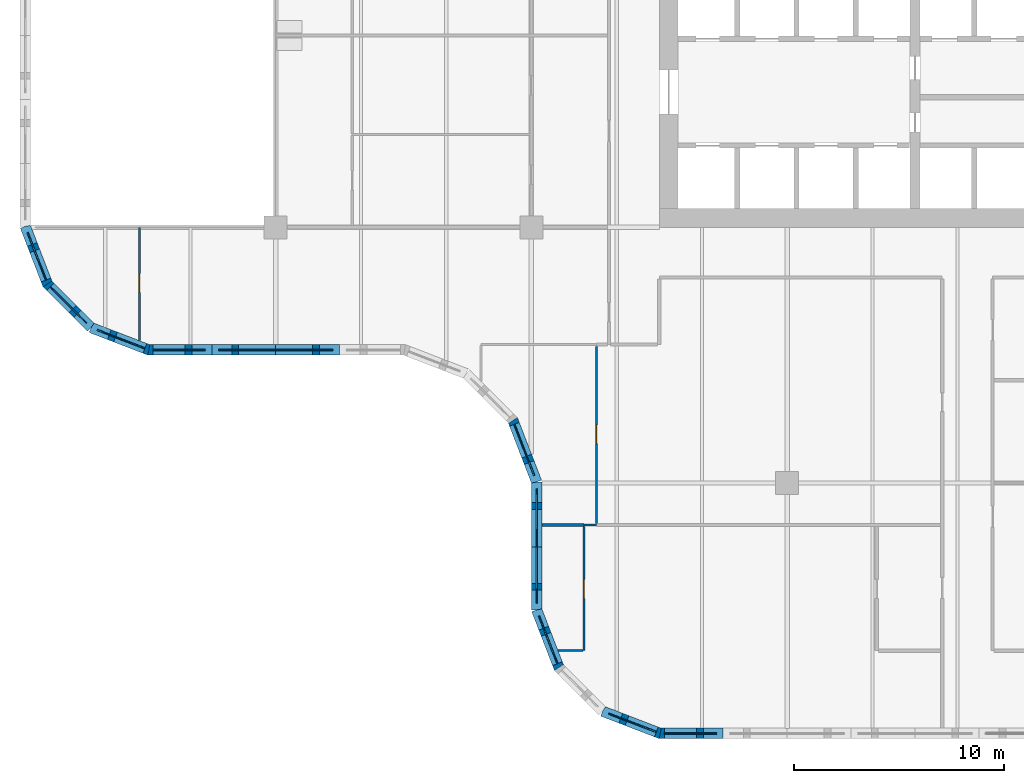
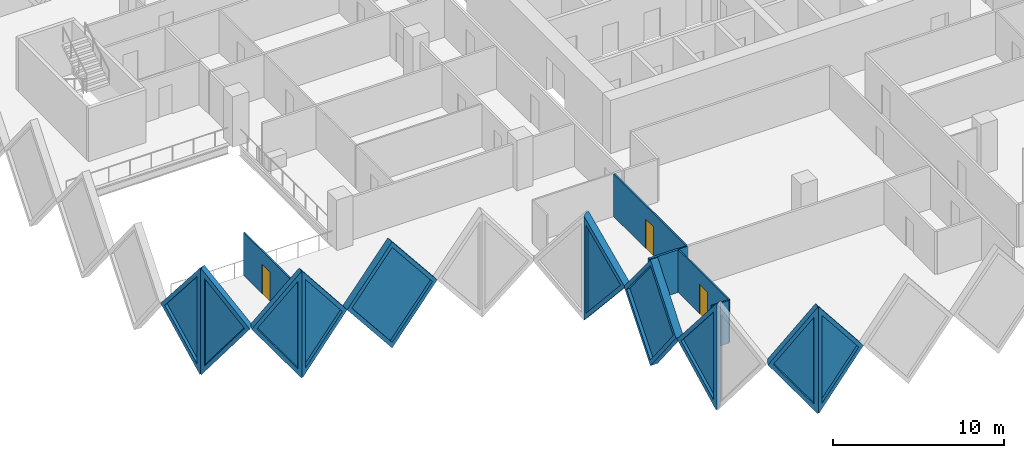
# One storey, part 4 of 20: 16 walls, 10 plates, 3 doors, 13 openings.
"""IFC4 building model written with IfcOpenShell, lengths in metres."""

from ifc_helpers import new_model, si_unit, direction, frame, frame_2d, origin, place, context, subcontext, project, spatial, polyline, rectangle, outline, extrude, faceted_brep, source, transform, mapped, material, layer, layer_set, type_object, element, fill, save


model = new_model("IFC4")

# Units and contexts
model_context = context("Model", 3, precision=1e-05, world=origin(), true_north=direction((0.0, 1.0)))
body_context = subcontext(model_context, "Body", "Model", "MODEL_VIEW")
ifc_project = project(units=[si_unit("LENGTHUNIT", "METRE"), si_unit("AREAUNIT", "SQUARE_METRE"), si_unit("VOLUMEUNIT", "CUBIC_METRE"), si_unit("PLANEANGLEUNIT", "RADIAN"), si_unit("MASSUNIT", "GRAM", prefix="KILO")], contexts=[model_context])

# Site, building, storey
site_placement = place(None, origin())
site = spatial("IfcSite", under=ifc_project, at=site_placement, CompositionType="ELEMENT")
building_placement = place(site_placement, origin())
building = spatial("IfcBuilding", under=site, at=building_placement, Name="Tessera Gate Towers", CompositionType="ELEMENT")
storey_placement = place(building_placement, frame((0.0, 0.0, 48.60009765625)))
storey = spatial("IfcBuildingStorey", under=building, at=storey_placement, Name="L11", CompositionType="ELEMENT", Elevation=48.60009765625)

# Wall
ifc_material_1 = material(Name="Glass", Category="glass")
ifc_layer_1 = layer(ifc_material_1, 0.10009765625)
ifc_layer_set_1 = layer_set([ifc_layer_1], Name="GLAZED PARTITION 100")
wall_type_1 = type_object("IfcWallType", Name="GLAZED PARTITION 100", PredefinedType="PARTITIONING", material=ifc_layer_set_1)
wall_1_placement = place(storey_placement, frame((26.90087890625, 10.199951171875, 0.0), z_axis=(0.0, 0.0, 1.0), x_axis=(1.0, 0.0, 0.0)))
element("IfcWall", 1, at=wall_1_placement, inside=storey, type_object=wall_type_1, Name="T1-L11-PW-011", PredefinedType="PARTITIONING", context=body_context, shape_type="SweptSolid", body=[
    extrude(rectangle(XDim=0.59814453125, YDim=0.10009765625, at=frame_2d((0.299072265625, 0.0))), origin(), (0.0, 0.0, 1.0), 3.06689453125),
])

# Wall, opening, door
wall_2_placement = place(storey_placement, frame((27.5, 10.27587890625, 0.0), z_axis=(0.0, 0.0, 1.0), x_axis=(0.0, 1.0, 0.0)))
wall_2 = element("IfcWall", 2, at=wall_2_placement, inside=storey, type_object=wall_type_1, Name="T1-L11-PW-013", PredefinedType="PARTITIONING", context=body_context, shape_type="SweptSolid", body=[
    extrude(rectangle(XDim=8.4482421875, YDim=0.10009765625, at=frame_2d((4.22412109375, 0.0))), origin(), (0.0, 0.0, 1.0), 3.06689453125),
])
shared_shape_1 = source(origin(), body_context, "Body", "SweptSolid", [
    extrude(rectangle(XDim=0.89990234375, YDim=2.10009765625, at=frame_2d((0.449951171875, 1.050048828125))), frame((0.0, 0.06005859375, 0.0), z_axis=(0.0, -1.0, 0.0), x_axis=(1.0, 0.0, 0.0)), (0.0, 0.0, 1.0), 0.1201171875),
])
opening_1_placement = place(wall_2_placement, frame((3.800048828125, 0.0, 0.0)))
opening_1 = element("IfcOpeningElement", 3, at=opening_1_placement, cuts=wall_2, Name="Opening D690-A04-03", PredefinedType="OPENING", context=body_context, shape_type="MappedRepresentation", body=[
    mapped(shared_shape_1, transform((0.0, 0.0, 0.0), scale=1.0)),
])
ifc_material_2 = material(Name="Glass in aluminium frame", Category="aluminium")
door_type_1 = type_object("IfcDoorType", Name="GLAZED DOOR 900 NOT RATED", OperationType="NOTDEFINED", PredefinedType="DOOR", material=ifc_material_2)
shared_shape_2 = source(origin(), body_context, "Body", "SweptSolid", [
    extrude(rectangle(XDim=0.89990234375, YDim=2.10009765625, at=frame_2d((0.449951171875, 1.050048828125))), frame((0.0, 0.02490234375, 0.0), z_axis=(0.0, -1.0, 0.0), x_axis=(1.0, 0.0, 0.0)), (0.0, 0.0, 1.0), 0.050048828125),
])
door_1_placement = place(opening_1_placement, origin())
door_1 = element("IfcDoor", 4, at=door_1_placement, inside=storey, type_object=door_type_1, Name="T1-L11-PD-019", OperationType="SINGLE_SWING_LEFT", OverallHeight=2.10009765625, OverallWidth=0.89990234375, PredefinedType="DOOR", context=body_context, shape_type="MappedRepresentation", body=[
    mapped(shared_shape_2, transform((0.0, 0.0, 0.0), scale=1.0)),
])
fill(opening_1, door_1)

wall_3_placement = place(storey_placement, frame((5.699951171875, 18.990234375, 0.0), z_axis=(0.0, 0.0, 1.0), x_axis=(0.0, 1.0, 0.0)))
wall_3 = element("IfcWall", 5, at=wall_3_placement, inside=storey, type_object=wall_type_1, Name="T1-L11-PW-025", PredefinedType="PARTITIONING", context=body_context, shape_type="SweptSolid", body=[
    extrude(rectangle(XDim=5.40966796875, YDim=0.10009765625, at=frame_2d((2.704833984375, 0.0))), origin(), (0.0, 0.0, 1.0), 3.06689453125),
])
opening_2_placement = place(wall_3_placement, frame((2.300048828125, 0.0, 0.0)))
opening_2 = element("IfcOpeningElement", 6, at=opening_2_placement, cuts=wall_3, Name="Opening D690-A04-02", PredefinedType="OPENING", context=body_context, shape_type="MappedRepresentation", body=[
    mapped(shared_shape_1, transform((0.0, 0.0, 0.0), scale=1.0)),
])
door_2_placement = place(opening_2_placement, origin())
door_2 = element("IfcDoor", 7, at=door_2_placement, inside=storey, type_object=door_type_1, Name="T1-L11-PD-013", OperationType="SINGLE_SWING_LEFT", OverallHeight=2.10009765625, OverallWidth=0.89990234375, PredefinedType="DOOR", context=body_context, shape_type="MappedRepresentation", body=[
    mapped(shared_shape_2, transform((0.0, 0.0, 0.0), scale=1.0)),
])
fill(opening_2, door_2)

# Wall
ifc_material_3 = material(Name="Gypsum board on steel studs", Category="steel")
ifc_layer_2 = layer(ifc_material_3, 0.10009765625)
ifc_layer_set_2 = layer_set([ifc_layer_2], Name="PARTITION 100")
wall_type_2 = type_object("IfcWallType", Name="PARTITION 100", PredefinedType="PARTITIONING", material=ifc_layer_set_2)
wall_4_placement = place(storey_placement, frame((25.668701171875, 4.199951171875, 0.0), z_axis=(0.0, 0.0, 1.0), x_axis=(1.0, 0.0, 0.0)))
element("IfcWall", 8, at=wall_4_placement, inside=storey, type_object=wall_type_2, Name="T1-L11-PW-003", PredefinedType="PARTITIONING", context=body_context, shape_type="SweptSolid", body=[
    extrude(rectangle(XDim=1.180419921875, YDim=0.10009765625, at=frame_2d((0.59033203125, 0.0))), origin(), (0.0, 0.0, 1.0), 3.06689453125),
])

# Wall, opening, door
wall_5_placement = place(storey_placement, frame((26.89990234375, 4.199951171875, 0.0), z_axis=(0.0, 0.0, 1.0), x_axis=(0.0, 1.0, 0.0)))
wall_5 = element("IfcWall", 9, at=wall_5_placement, inside=storey, type_object=wall_type_2, Name="T1-L11-PW-004", PredefinedType="PARTITIONING", context=body_context, shape_type="SweptSolid", body=[
    extrude(rectangle(XDim=5.924072265625, YDim=0.10009765625, at=frame_2d((2.9619140625, 0.0))), origin(), (0.0, 0.0, 1.0), 3.06689453125),
])
opening_3_placement = place(wall_5_placement, frame((2.5, 0.0, 0.0)))
opening_3 = element("IfcOpeningElement", 10, at=opening_3_placement, cuts=wall_5, Name="Opening D190-A04-09", PredefinedType="OPENING", context=body_context, shape_type="MappedRepresentation", body=[
    mapped(shared_shape_1, transform((0.0, 0.0, 0.0), scale=1.0)),
])
ifc_material_4 = material(Name="Timber door leaf in steel frame", Category="steel")
door_type_2 = type_object("IfcDoorType", Name="INTERNAL DOOR 900 NOT RATED", OperationType="NOTDEFINED", PredefinedType="DOOR", material=ifc_material_4)
door_3_placement = place(opening_3_placement, origin())
door_3 = element("IfcDoor", 11, at=door_3_placement, inside=storey, type_object=door_type_2, Name="T1-L11-PD-017", OperationType="SINGLE_SWING_LEFT", OverallHeight=2.10009765625, OverallWidth=0.89990234375, PredefinedType="DOOR", context=body_context, shape_type="MappedRepresentation", body=[
    mapped(shared_shape_2, transform((0.0, 0.0, 0.0), scale=1.0)),
])
fill(opening_3, door_3)

# Wall
ifc_material_5 = material(Name="Gypsum board on steel studs, mineral wool", Category="steel")
ifc_layer_3 = layer(ifc_material_5, 0.14990234375)
ifc_layer_set_3 = layer_set([ifc_layer_3], Name="TENANCY WALL 150")
wall_type_3 = type_object("IfcWallType", Name="TENANCY WALL 150", PredefinedType="PARTITIONING", material=ifc_layer_set_3)
wall_6_placement = place(storey_placement, frame((24.89990234375, 10.199951171875, 0.0), z_axis=(0.0, 0.0, 1.0), x_axis=(1.0, 0.0, 0.0)))
element("IfcWall", 12, at=wall_6_placement, inside=storey, type_object=wall_type_3, Name="T1-L11-PW-010", PredefinedType="PARTITIONING", context=body_context, shape_type="SweptSolid", body=[
    extrude(rectangle(XDim=2.0, YDim=0.14990234375, at=frame_2d((1.0, 0.0))), origin(), (0.0, 0.0, 1.0), 3.06689453125),
])

# Wall, opening, plate
ifc_material_6 = material(Name="Precast concrete C60/75 white", Category="concrete")
ifc_layer_4 = layer(ifc_material_6, 0.5)
ifc_layer_set_4 = layer_set([ifc_layer_4], Name="TS1 tessera")
wall_type_4 = type_object("IfcWallType", Name="TS1 tessera", PredefinedType="SOLIDWALL", material=ifc_layer_set_4)
shared_shape_3 = source(origin(), body_context, "Body", "SweptSolid", [
    extrude(outline(polyline([(3.050048828125, 0.0), (6.10009765625, 3.800048828125), (3.050048828125, 7.599853515625), (0.0, 3.800048828125), (3.050048828125, 0.0)])), frame((0.0, 0.25, 0.0), z_axis=(0.0, -1.0, 0.0), x_axis=(1.0, 0.0, 0.0)), (0.0, 0.0, 1.0), 0.5),
])
wall_7_placement = place(storey_placement, frame((9.14990234375, 18.550048828125, -3.800048828125), z_axis=(0.0, 0.0, 1.0), x_axis=(1.0, 0.0, 0.0)))
wall_7 = element("IfcWall", 13, at=wall_7_placement, inside=storey, type_object=wall_type_4, Name="Precast tessera T1 TS1-0159", PredefinedType="SOLIDWALL", context=body_context, shape_type="MappedRepresentation", body=[
    mapped(shared_shape_3, transform((0.0, 0.0, 0.0), scale=1.0)),
])
shared_shape_4 = source(origin(), body_context, "Body", "SweptSolid", [
    extrude(outline(polyline([(3.050048828125, 0.3994140625), (5.779541015625, 3.800048828125), (3.050048828125, 7.200439453125), (0.320556640625, 3.800048828125), (3.050048828125, 0.3994140625)])), frame((0.0, 0.260009765625, 0.0), z_axis=(0.0, -1.0, 0.0), x_axis=(1.0, 0.0, 0.0)), (0.0, 0.0, 1.0), 0.52001953125),
])
opening_4_placement = place(wall_7_placement, origin())
opening_4 = element("IfcOpeningElement", 14, at=opening_4_placement, cuts=wall_7, Name="Opening T1-PL2-0321", PredefinedType="OPENING", context=body_context, shape_type="MappedRepresentation", body=[
    mapped(shared_shape_4, transform((0.0, 0.0, 0.0), scale=1.0)),
])
ifc_material_7 = material(Name="Low-e laminated glass", Category="glass")
ifc_layer_5 = layer(ifc_material_7, 0.06005859375)
ifc_layer_set_5 = layer_set([ifc_layer_5], Name="PL2 rhombic pane")
plate_type = type_object("IfcPlateType", Name="PL2 rhombic pane", PredefinedType="SHEET", material=ifc_layer_set_5)
shared_shape_5 = source(origin(), body_context, "Body", "SweptSolid", [
    extrude(outline(polyline([(3.050048828125, 0.3994140625), (5.779541015625, 3.800048828125), (3.050048828125, 7.200439453125), (0.320556640625, 3.800048828125), (3.050048828125, 0.3994140625)])), frame((0.0, 0.030029296875, 0.0), z_axis=(0.0, -1.0, 0.0), x_axis=(1.0, 0.0, 0.0)), (0.0, 0.0, 1.0), 0.06005859375),
])
plate_1_placement = place(opening_4_placement, origin())
plate_1 = element("IfcPlate", 15, at=plate_1_placement, inside=storey, type_object=plate_type, Name="Glass pane T1 PL2-0321", PredefinedType="SHEET", context=body_context, shape_type="MappedRepresentation", body=[
    mapped(shared_shape_5, transform((0.0, 0.0, 0.0), scale=1.0)),
])
fill(opening_4, plate_1)

ifc_material_8 = material(Name="Precast concrete C60/75 white", Category="concrete")
ifc_layer_6 = layer(ifc_material_8, 0.5)
ifc_layer_set_6 = layer_set([ifc_layer_6], Name="TS3 corner tessera")
wall_type_5 = type_object("IfcWallType", Name="TS3 corner tessera", PredefinedType="SOLIDWALL", material=ifc_layer_set_6)
shared_shape_6 = source(origin(), body_context, "Body", "Brep", [
    faceted_brep([(2.950439453125, -0.25, 0.0), (3.00341796875, -0.25, 0.068359375), (3.00341796875, -0.25, 7.531494140625), (2.950439453125, -0.25, 7.599853515625), (0.0, -0.25, 3.800048828125), (0.046630859375, 0.25, 3.860107421875), (2.897705078125, 0.25, 7.53173828125), (2.897705078125, 0.25, 0.068115234375), (0.046630859375, 0.25, 3.739990234375), (2.950439453125, 0.00048828125, 0.0), (2.950439453125, 0.00048828125, 7.599853515625), (0.0, 0.0, 3.800048828125)], [[[0, 1, 2, 3, 4]], [[5, 6, 7, 8]], [[1, 0, 9]], [[10, 3, 2]], [[6, 5, 11, 4, 3, 10]], [[8, 7, 9, 0, 4, 11]], [[8, 11, 5]], [[1, 9, 7, 6, 10, 2]]]),
])
wall_8_placement = place(storey_placement, frame((24.64990234375, 6.146484375, -3.800048828125), z_axis=(0.0, 0.0, 1.0), x_axis=(0.359953949349, -0.932970071518, 0.0)))
wall_8 = element("IfcWall", 16, at=wall_8_placement, inside=storey, type_object=wall_type_5, Name="Precast corner tessera T1 TS3-0239", PredefinedType="SOLIDWALL", context=body_context, shape_type="MappedRepresentation", body=[
    mapped(shared_shape_6, transform((0.0, 0.0, 0.0), scale=1.0)),
])
shared_shape_7 = source(origin(), body_context, "Body", "SweptSolid", [
    extrude(outline(polyline([(2.75048828125, 6.934814453125), (0.31640625, 3.800048828125), (2.75048828125, 0.665283203125), (2.75048828125, 6.934814453125)])), frame((0.0, 0.260009765625, 0.0), z_axis=(0.0, -1.0, 0.0), x_axis=(1.0, 0.0, 0.0)), (0.0, 0.0, 1.0), 0.52001953125),
])
opening_5_placement = place(wall_8_placement, origin())
opening_5 = element("IfcOpeningElement", 17, at=opening_5_placement, cuts=wall_8, Name="Opening T1-PL2-0327", PredefinedType="OPENING", context=body_context, shape_type="MappedRepresentation", body=[
    mapped(shared_shape_7, transform((0.0, 0.0, 0.0), scale=1.0)),
])
shared_shape_8 = source(origin(), body_context, "Body", "SweptSolid", [
    extrude(outline(polyline([(2.75048828125, 6.934814453125), (0.31640625, 3.800048828125), (2.75048828125, 0.665283203125), (2.75048828125, 6.934814453125)])), frame((0.0, 0.030029296875, 0.0), z_axis=(0.0, -1.0, 0.0), x_axis=(1.0, 0.0, 0.0)), (0.0, 0.0, 1.0), 0.06005859375),
])
plate_2_placement = place(opening_5_placement, origin())
plate_2 = element("IfcPlate", 18, at=plate_2_placement, inside=storey, type_object=plate_type, Name="Glass pane T1 PL2-0327", PredefinedType="SHEET", context=body_context, shape_type="MappedRepresentation", body=[
    mapped(shared_shape_8, transform((0.0, 0.0, 0.0), scale=1.0)),
])
fill(opening_5, plate_2)

shared_shape_9 = source(origin(), body_context, "Body", "Brep", [
    faceted_brep([(0.052978515625, -0.25, 0.0), (2.9970703125, -0.25, 3.800048828125), (0.052978515625, -0.25, 7.599853515625), (0.0, -0.25, 7.53173828125), (0.0, -0.25, 0.068115234375), (0.10595703125, 0.25, 7.531494140625), (2.944091796875, 0.25, 3.8681640625), (2.944091796875, 0.25, 3.73193359375), (0.10595703125, 0.25, 0.068359375), (2.9970703125, 0.000244140625, 3.800048828125), (0.052978515625, 0.0, 0.0), (0.052978515625, 0.0, 7.599853515625)], [[[0, 1, 2, 3, 4]], [[5, 6, 7, 8]], [[8, 7, 9, 1, 0, 10]], [[6, 5, 11, 2, 1, 9]], [[3, 2, 11]], [[10, 0, 4]], [[8, 10, 4, 3, 11, 5]], [[7, 6, 9]]]),
])
wall_9_placement = place(storey_placement, frame((1.2744140625, 21.731201171875, -3.800048828125), z_axis=(0.0, 0.0, 1.0), x_axis=(0.707147509625, -0.707066050402, 0.0)))
wall_9 = element("IfcWall", 19, at=wall_9_placement, inside=storey, type_object=wall_type_5, Name="Precast corner tessera T1 TS3-0232", PredefinedType="SOLIDWALL", context=body_context, shape_type="MappedRepresentation", body=[
    mapped(shared_shape_9, transform((0.0, 0.0, 0.0), scale=1.0)),
])
shared_shape_10 = source(origin(), body_context, "Body", "SweptSolid", [
    extrude(outline(polyline([(0.2529296875, 0.666259765625), (2.680908203125, 3.800048828125), (0.2529296875, 6.93359375), (0.2529296875, 0.666259765625)])), frame((0.0, 0.260009765625, 0.0), z_axis=(0.0, -1.0, 0.0), x_axis=(1.0, 0.0, 0.0)), (0.0, 0.0, 1.0), 0.52001953125),
])
opening_6_placement = place(wall_9_placement, origin())
opening_6 = element("IfcOpeningElement", 20, at=opening_6_placement, cuts=wall_9, Name="Opening T1-PL2-0318", PredefinedType="OPENING", context=body_context, shape_type="MappedRepresentation", body=[
    mapped(shared_shape_10, transform((0.0, 0.0, 0.0), scale=1.0)),
])
shared_shape_11 = source(origin(), body_context, "Body", "SweptSolid", [
    extrude(outline(polyline([(0.2529296875, 0.666259765625), (2.680908203125, 3.800048828125), (0.2529296875, 6.93359375), (0.2529296875, 0.666259765625)])), frame((0.0, 0.030029296875, 0.0), z_axis=(0.0, -1.0, 0.0), x_axis=(1.0, 0.0, 0.0)), (0.0, 0.0, 1.0), 0.06005859375),
])
plate_3_placement = place(opening_6_placement, origin())
plate_3 = element("IfcPlate", 21, at=plate_3_placement, inside=storey, type_object=plate_type, Name="Glass pane T1 PL2-0318", PredefinedType="SHEET", context=body_context, shape_type="MappedRepresentation", body=[
    mapped(shared_shape_11, transform((0.0, 0.0, 0.0), scale=1.0)),
])
fill(opening_6, plate_3)

shared_shape_12 = source(origin(), body_context, "Body", "Brep", [
    faceted_brep([(2.950439453125, -0.25, 0.0), (2.9970703125, -0.25, 0.05908203125), (2.9970703125, -0.25, 7.540771484375), (2.950439453125, -0.25, 7.599853515625), (0.0, -0.25, 3.800048828125), (0.052978515625, 0.25, 3.8681640625), (2.904052734375, 0.25, 7.5400390625), (2.904052734375, 0.25, 0.059814453125), (0.052978515625, 0.25, 3.73193359375), (2.950439453125, 0.00048828125, 0.0), (2.950439453125, 0.00048828125, 7.599853515625), (0.0, 0.0, 3.800048828125)], [[[0, 1, 2, 3, 4]], [[5, 6, 7, 8]], [[1, 0, 9]], [[10, 3, 2]], [[6, 5, 11, 4, 3, 10]], [[8, 7, 9, 0, 4, 11]], [[8, 11, 5]], [[1, 9, 7, 6, 10, 2]]]),
])
wall_10_placement = place(storey_placement, frame((3.393798828125, 19.61181640625, -3.800048828125), z_axis=(0.0, 0.0, 1.0), x_axis=(0.932990326376, -0.359901446078, 0.0)))
wall_10 = element("IfcWall", 22, at=wall_10_placement, inside=storey, type_object=wall_type_5, Name="Precast corner tessera T1 TS3-0233", PredefinedType="SOLIDWALL", context=body_context, shape_type="MappedRepresentation", body=[
    mapped(shared_shape_12, transform((0.0, 0.0, 0.0), scale=1.0)),
])
opening_7_placement = place(wall_10_placement, origin())
opening_7 = element("IfcOpeningElement", 23, at=opening_7_placement, cuts=wall_10, Name="Opening T1-PL2-0319", PredefinedType="OPENING", context=body_context, shape_type="MappedRepresentation", body=[
    mapped(shared_shape_7, transform((0.0, 0.0, 0.0), scale=1.0)),
])
plate_4_placement = place(opening_7_placement, origin())
plate_4 = element("IfcPlate", 24, at=plate_4_placement, inside=storey, type_object=plate_type, Name="Glass pane T1 PL2-0319", PredefinedType="SHEET", context=body_context, shape_type="MappedRepresentation", body=[
    mapped(shared_shape_8, transform((0.0, 0.0, 0.0), scale=1.0)),
])
fill(opening_7, plate_4)

shared_shape_13 = source(origin(), body_context, "Body", "Brep", [
    faceted_brep([(0.046630859375, -0.25, 0.0), (3.050048828125, -0.25, 3.800048828125), (0.046630859375, -0.25, 7.599853515625), (0.0, -0.25, 7.539794921875), (0.0, -0.25, 0.06005859375), (0.09326171875, 0.25, 7.541015625), (3.050048828125, 0.25, 3.800048828125), (0.09326171875, 0.25, 0.058837890625), (0.046630859375, 0.0, 0.0), (0.046630859375, 0.0, 7.599853515625)], [[[0, 1, 2, 3, 4]], [[5, 6, 7]], [[7, 6, 1, 0, 8]], [[6, 5, 9, 2, 1]], [[3, 2, 9]], [[8, 0, 4]], [[7, 8, 4, 3, 9, 5]]]),
])
wall_11_placement = place(storey_placement, frame((30.5, 0.25, -3.800048828125), z_axis=(0.0, 0.0, 1.0), x_axis=(1.0, 0.0, 0.0)))
wall_11 = element("IfcWall", 25, at=wall_11_placement, inside=storey, type_object=wall_type_5, Name="Precast corner tessera T1 TS3-0217", PredefinedType="SOLIDWALL", context=body_context, shape_type="MappedRepresentation", body=[
    mapped(shared_shape_13, transform((0.0, 0.0, 0.0), scale=1.0)),
])
shared_shape_14 = source(origin(), body_context, "Body", "SweptSolid", [
    extrude(outline(polyline([(0.24658203125, 0.65625), (2.7314453125, 3.800048828125), (0.24658203125, 6.94384765625), (0.24658203125, 0.65625)])), frame((0.0, 0.260009765625, 0.0), z_axis=(0.0, -1.0, 0.0), x_axis=(1.0, 0.0, 0.0)), (0.0, 0.0, 1.0), 0.52001953125),
])
opening_8_placement = place(wall_11_placement, origin())
opening_8 = element("IfcOpeningElement", 26, at=opening_8_placement, cuts=wall_11, Name="Opening T1-PL2-0282", PredefinedType="OPENING", context=body_context, shape_type="MappedRepresentation", body=[
    mapped(shared_shape_14, transform((0.0, 0.0, 0.0), scale=1.0)),
])
shared_shape_15 = source(origin(), body_context, "Body", "SweptSolid", [
    extrude(outline(polyline([(0.24658203125, 0.65625), (2.7314453125, 3.800048828125), (0.24658203125, 6.94384765625), (0.24658203125, 0.65625)])), frame((0.0, 0.030029296875, 0.0), z_axis=(0.0, -1.0, 0.0), x_axis=(1.0, 0.0, 0.0)), (0.0, 0.0, 1.0), 0.06005859375),
])
plate_5_placement = place(opening_8_placement, origin())
plate_5 = element("IfcPlate", 27, at=plate_5_placement, inside=storey, type_object=plate_type, Name="Glass pane T1 PL2-0282", PredefinedType="SHEET", context=body_context, shape_type="MappedRepresentation", body=[
    mapped(shared_shape_15, transform((0.0, 0.0, 0.0), scale=1.0)),
])
fill(opening_8, plate_5)

wall_12_placement = place(storey_placement, frame((6.099853515625, 18.550048828125, -3.800048828125), z_axis=(0.0, 0.0, 1.0), x_axis=(1.0, 0.0, 0.0)))
wall_12 = element("IfcWall", 28, at=wall_12_placement, inside=storey, type_object=wall_type_5, Name="Precast corner tessera T1 TS3-0234", PredefinedType="SOLIDWALL", context=body_context, shape_type="MappedRepresentation", body=[
    mapped(shared_shape_13, transform((0.0, 0.0, 0.0), scale=1.0)),
])
opening_9_placement = place(wall_12_placement, origin())
opening_9 = element("IfcOpeningElement", 29, at=opening_9_placement, cuts=wall_12, Name="Opening T1-PL2-0320", PredefinedType="OPENING", context=body_context, shape_type="MappedRepresentation", body=[
    mapped(shared_shape_14, transform((0.0, 0.0, 0.0), scale=1.0)),
])
plate_6_placement = place(opening_9_placement, origin())
plate_6 = element("IfcPlate", 30, at=plate_6_placement, inside=storey, type_object=plate_type, Name="Glass pane T1 PL2-0320", PredefinedType="SHEET", context=body_context, shape_type="MappedRepresentation", body=[
    mapped(shared_shape_15, transform((0.0, 0.0, 0.0), scale=1.0)),
])
fill(opening_9, plate_6)

shared_shape_16 = source(origin(), body_context, "Body", "Brep", [
    faceted_brep([(2.950439453125, -0.25, 0.0), (2.9970703125, -0.25, 0.05908203125), (2.9970703125, -0.25, 7.540771484375), (2.950439453125, -0.25, 7.599853515625), (0.0, -0.25, 3.800048828125), (0.052978515625, 0.25, 3.8681640625), (2.904052734375, 0.25, 7.5400390625), (2.904052734375, 0.25, 0.059814453125), (0.052978515625, 0.25, 3.73193359375), (2.950439453125, 0.00048828125, 0.0), (2.950439453125, 0.00048828125, 7.599853515625), (0.0, 0.0, 3.800048828125)], [[[0, 1, 2, 3, 4]], [[5, 6, 7, 8]], [[1, 0, 9]], [[10, 3, 2]], [[6, 5, 11, 4, 3, 10]], [[8, 7, 9, 0, 4, 11]], [[8, 11, 5]], [[1, 9, 7, 6, 10, 2]]]),
])
wall_13_placement = place(storey_placement, frame((27.793701171875, 1.31201171875, -3.800048828125), z_axis=(0.0, 0.0, 1.0), x_axis=(0.932973525033, -0.359944998003, 0.0)))
wall_13 = element("IfcWall", 31, at=wall_13_placement, inside=storey, type_object=wall_type_5, Name="Precast corner tessera T1 TS3-0218", PredefinedType="SOLIDWALL", context=body_context, shape_type="MappedRepresentation", body=[
    mapped(shared_shape_16, transform((0.0, 0.0, 0.0), scale=1.0)),
])
opening_10_placement = place(wall_13_placement, origin())
opening_10 = element("IfcOpeningElement", 32, at=opening_10_placement, cuts=wall_13, Name="Opening T1-PL2-0283", PredefinedType="OPENING", context=body_context, shape_type="MappedRepresentation", body=[
    mapped(shared_shape_7, transform((0.0, 0.0, 0.0), scale=1.0)),
])
plate_7_placement = place(opening_10_placement, origin())
plate_7 = element("IfcPlate", 33, at=plate_7_placement, inside=storey, type_object=plate_type, Name="Glass pane T1 PL2-0283", PredefinedType="SHEET", context=body_context, shape_type="MappedRepresentation", body=[
    mapped(shared_shape_8, transform((0.0, 0.0, 0.0), scale=1.0)),
])
fill(opening_10, plate_7)

shared_shape_17 = source(origin(), body_context, "Body", "Brep", [
    faceted_brep([(2.950439453125, -0.25, 0.0), (3.00341796875, -0.25, 0.068359375), (3.00341796875, -0.25, 7.531494140625), (2.950439453125, -0.25, 7.599853515625), (0.0, -0.25, 3.800048828125), (0.046630859375, 0.25, 3.860107421875), (2.897705078125, 0.25, 7.53173828125), (2.897705078125, 0.25, 0.068115234375), (0.046630859375, 0.25, 3.739990234375), (2.950439453125, 0.00048828125, 0.0), (2.950439453125, 0.00048828125, 7.599853515625), (0.0, 0.0, 3.800048828125)], [[[0, 1, 2, 3, 4]], [[5, 6, 7, 8]], [[1, 0, 9]], [[10, 3, 2]], [[6, 5, 11, 4, 3, 10]], [[8, 7, 9, 0, 4, 11]], [[8, 11, 5]], [[1, 9, 7, 6, 10, 2]]]),
])
wall_14_placement = place(storey_placement, frame((0.25, 24.446533203125, -3.800048828125), z_axis=(0.0, 0.0, 1.0), x_axis=(0.35992665181, -0.932980602862, 0.0)))
wall_14 = element("IfcWall", 34, at=wall_14_placement, inside=storey, type_object=wall_type_5, Name="Precast corner tessera T1 TS3-0231", PredefinedType="SOLIDWALL", context=body_context, shape_type="MappedRepresentation", body=[
    mapped(shared_shape_17, transform((0.0, 0.0, 0.0), scale=1.0)),
])
opening_11_placement = place(wall_14_placement, origin())
opening_11 = element("IfcOpeningElement", 35, at=opening_11_placement, cuts=wall_14, Name="Opening T1-PL2-0317", PredefinedType="OPENING", context=body_context, shape_type="MappedRepresentation", body=[
    mapped(shared_shape_7, transform((0.0, 0.0, 0.0), scale=1.0)),
])
plate_8_placement = place(opening_11_placement, origin())
plate_8 = element("IfcPlate", 36, at=plate_8_placement, inside=storey, type_object=plate_type, Name="Glass pane T1 PL2-0317", PredefinedType="SHEET", context=body_context, shape_type="MappedRepresentation", body=[
    mapped(shared_shape_8, transform((0.0, 0.0, 0.0), scale=1.0)),
])
fill(opening_11, plate_8)

shared_shape_18 = source(origin(), body_context, "Body", "Brep", [
    faceted_brep([(0.10595703125, -0.25, 0.06396484375), (3.156005859375, -0.25, 3.743896484375), (3.156005859375, -0.25, 3.856201171875), (0.10595703125, -0.25, 7.535888671875), (0.0, 0.25, 7.5361328125), (0.052978515625, 0.25, 7.599853515625), (3.202392578125, 0.25, 3.800048828125), (0.052978515625, 0.25, 0.0), (0.0, 0.25, 0.063720703125), (3.202392578125, -0.000244140625, 3.800048828125), (0.052978515625, 0.0, 0.0), (0.052978515625, 0.0, 7.599853515625)], [[[0, 1, 2, 3]], [[4, 5, 6, 7, 8]], [[7, 6, 9, 1, 0, 10]], [[6, 5, 11, 3, 2, 9]], [[5, 4, 11]], [[8, 7, 10]], [[8, 10, 0, 3, 11, 4]], [[1, 9, 2]]]),
])
wall_15_placement = place(storey_placement, frame((23.497314453125, 15.234375, -3.800048828125), z_axis=(0.0, 0.0, 1.0), x_axis=(0.359913782069, -0.932985567668, 0.0)))
wall_15 = element("IfcWall", 37, at=wall_15_placement, inside=storey, type_object=wall_type_5, Name="Precast corner tessera T1 TS3-0238", PredefinedType="SOLIDWALL", context=body_context, shape_type="MappedRepresentation", body=[
    mapped(shared_shape_18, transform((0.0, 0.0, 0.0), scale=1.0)),
])
shared_shape_19 = source(origin(), body_context, "Body", "SweptSolid", [
    extrude(outline(polyline([(0.2529296875, 0.633056640625), (2.877685546875, 3.800048828125), (0.2529296875, 6.966796875), (0.2529296875, 0.633056640625)])), frame((0.0, 0.260009765625, 0.0), z_axis=(0.0, -1.0, 0.0), x_axis=(1.0, 0.0, 0.0)), (0.0, 0.0, 1.0), 0.52001953125),
])
opening_12_placement = place(wall_15_placement, origin())
opening_12 = element("IfcOpeningElement", 38, at=opening_12_placement, cuts=wall_15, Name="Opening T1-PL2-0325", PredefinedType="OPENING", context=body_context, shape_type="MappedRepresentation", body=[
    mapped(shared_shape_19, transform((0.0, 0.0, 0.0), scale=1.0)),
])
shared_shape_20 = source(origin(), body_context, "Body", "SweptSolid", [
    extrude(outline(polyline([(0.2529296875, 0.633056640625), (2.877685546875, 3.800048828125), (0.2529296875, 6.966796875), (0.2529296875, 0.633056640625)])), frame((0.0, 0.030029296875, 0.0), z_axis=(0.0, -1.0, 0.0), x_axis=(1.0, 0.0, 0.0)), (0.0, 0.0, 1.0), 0.06005859375),
])
plate_9_placement = place(opening_12_placement, origin())
plate_9 = element("IfcPlate", 39, at=plate_9_placement, inside=storey, type_object=plate_type, Name="Glass pane T1 PL2-0325", PredefinedType="SHEET", context=body_context, shape_type="MappedRepresentation", body=[
    mapped(shared_shape_20, transform((0.0, 0.0, 0.0), scale=1.0)),
])
fill(opening_12, plate_9)

shared_shape_21 = source(origin(), body_context, "Body", "Brep", [
    faceted_brep([(3.096435546875, -0.25, 0.0), (6.10009765625, -0.25, 3.800048828125), (3.096435546875, -0.25, 7.599853515625), (0.046630859375, -0.25, 3.857177734375), (0.046630859375, -0.25, 3.742919921875), (0.0, 0.25, 3.800048828125), (3.096435546875, 0.25, 7.599853515625), (6.053466796875, 0.25, 3.859130859375), (6.053466796875, 0.25, 3.740966796875), (3.096435546875, 0.25, 0.0), (6.10009765625, -0.00048828125, 3.800048828125), (0.0, 0.0, 3.800048828125)], [[[0, 1, 2, 3, 4]], [[5, 6, 7, 8, 9]], [[9, 8, 10, 1, 0]], [[7, 6, 2, 1, 10]], [[6, 5, 11, 3, 2]], [[5, 9, 0, 4, 11]], [[4, 3, 11]], [[8, 7, 10]]]),
])
wall_16_placement = place(storey_placement, frame((24.64990234375, 12.24658203125, -3.800048828125), z_axis=(0.0, 0.0, 1.0), x_axis=(0.0, -1.0, 0.0)))
wall_16 = element("IfcWall", 40, at=wall_16_placement, inside=storey, type_object=wall_type_4, Name="Precast tessera T1 TS1-0160", PredefinedType="SOLIDWALL", context=body_context, shape_type="MappedRepresentation", body=[
    mapped(shared_shape_21, transform((0.0, 0.0, 0.0), scale=1.0)),
])
shared_shape_22 = source(origin(), body_context, "Body", "SweptSolid", [
    extrude(outline(polyline([(3.093505859375, 0.3994140625), (5.78125, 3.800048828125), (3.093505859375, 7.200439453125), (0.322509765625, 3.800048828125), (3.093505859375, 0.3994140625)])), frame((0.0, 0.260009765625, 0.0), z_axis=(0.0, -1.0, 0.0), x_axis=(1.0, 0.0, 0.0)), (0.0, 0.0, 1.0), 0.52001953125),
])
opening_13_placement = place(wall_16_placement, origin())
opening_13 = element("IfcOpeningElement", 41, at=opening_13_placement, cuts=wall_16, Name="Opening T1-PL2-0326", PredefinedType="OPENING", context=body_context, shape_type="MappedRepresentation", body=[
    mapped(shared_shape_22, transform((0.0, 0.0, 0.0), scale=1.0)),
])
shared_shape_23 = source(origin(), body_context, "Body", "SweptSolid", [
    extrude(outline(polyline([(3.093505859375, 0.3994140625), (5.78125, 3.800048828125), (3.093505859375, 7.200439453125), (0.322509765625, 3.800048828125), (3.093505859375, 0.3994140625)])), frame((0.0, 0.030029296875, 0.0), z_axis=(0.0, -1.0, 0.0), x_axis=(1.0, 0.0, 0.0)), (0.0, 0.0, 1.0), 0.06005859375),
])
plate_10_placement = place(opening_13_placement, origin())
plate_10 = element("IfcPlate", 42, at=plate_10_placement, inside=storey, type_object=plate_type, Name="Glass pane T1 PL2-0326", PredefinedType="SHEET", context=body_context, shape_type="MappedRepresentation", body=[
    mapped(shared_shape_23, transform((0.0, 0.0, 0.0), scale=1.0)),
])
fill(opening_13, plate_10)

save(model, "model.ifc")
